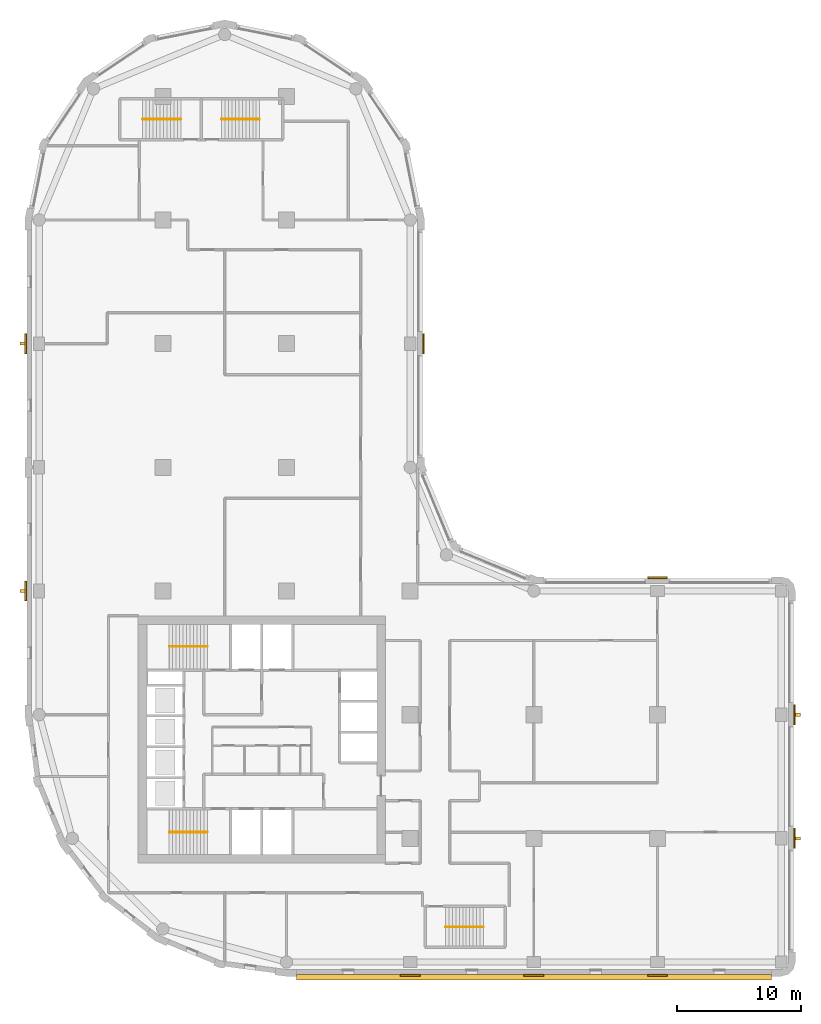
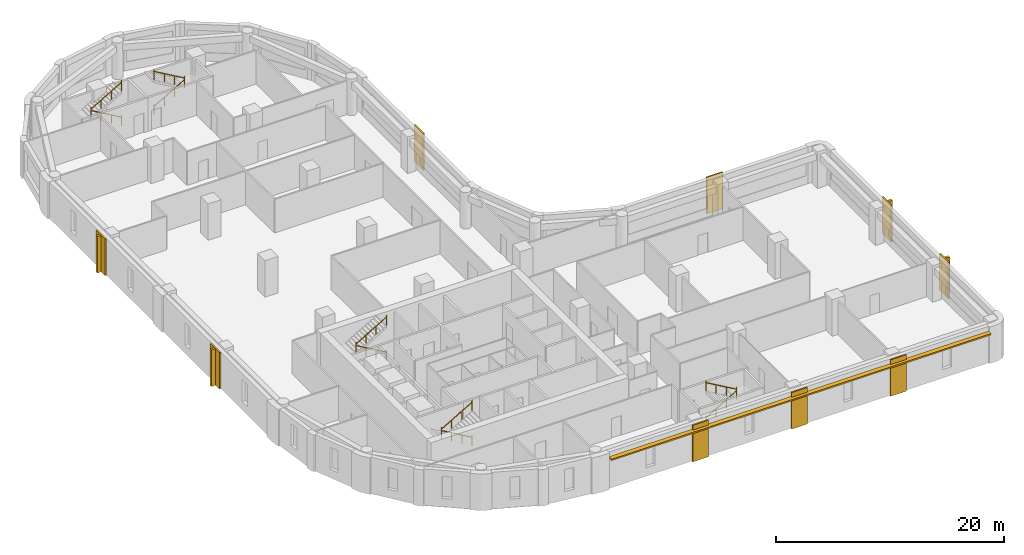
# One storey, part 8 of 9: 10 railings, 9 coverings, 5 shading devices.
"""IFC4 building model written with IfcOpenShell, lengths in metres."""

from ifc_helpers import new_model, si_unit, direction, frame, origin, origin_2d, place, context, subcontext, project, spatial, polyline, rectangle, circle, outline, extrude, material, layer, layer_set, type_object, element, save


model = new_model("IFC4")

# Units and contexts
model_context = context("Model", 3, precision=1e-05, world=origin(), true_north=direction((0.0, 1.0)))
body_context = subcontext(model_context, "Body", "Model", "MODEL_VIEW")
ifc_project = project(units=[si_unit("LENGTHUNIT", "METRE"), si_unit("AREAUNIT", "SQUARE_METRE"), si_unit("VOLUMEUNIT", "CUBIC_METRE"), si_unit("PLANEANGLEUNIT", "RADIAN"), si_unit("MASSUNIT", "GRAM", prefix="KILO")], contexts=[model_context])

# Site, building, storey
site_placement = place(None, origin())
site = spatial("IfcSite", under=ifc_project, at=site_placement, CompositionType="ELEMENT")
building_placement = place(site_placement, origin())
building = spatial("IfcBuilding", under=site, at=building_placement, Name="Qaws Garden Tower", CompositionType="ELEMENT")
storey_placement = place(building_placement, frame((0.0, 0.0, 190.199951171875)))
storey = spatial("IfcBuildingStorey", under=building, at=storey_placement, Name="L46", CompositionType="ELEMENT", Elevation=190.199951171875)

# Coverings
ifc_material_1 = material(Name="Clay facing brick masonry", Category="masonry")
ifc_layer_1 = layer(ifc_material_1, 0.14990234375)
ifc_layer_set_1 = layer_set([ifc_layer_1], Name="Clay facing brick masonry")
covering_type = type_object("IfcCoveringType", Name="Brick pilaster facing 150 x 1600", PredefinedType="CLADDING", material=ifc_layer_set_1)
placement = place(storey_placement, origin())
element("IfcCovering", 1, at=placement, inside=storey, type_object=covering_type, Name="E-L46-pier-01", PredefinedType="CLADDING", context=body_context, shape_type="SweptSolid", body=[
    extrude(outline(polyline([(29.199951171875, -1.0), (30.800048828125, -1.0), (30.800048828125, -1.14990234375), (29.199951171875, -1.14990234375), (29.199951171875, -1.0)])), origin(), (0.0, 0.0, 1.0), 3.900146484375),
])
element("IfcCovering", 2, at=placement, inside=storey, type_object=covering_type, Name="E-L46-pier-02", PredefinedType="CLADDING", context=body_context, shape_type="SweptSolid", body=[
    extrude(outline(polyline([(39.199951171875, -1.0), (40.800048828125, -1.0), (40.800048828125, -1.14990234375), (39.199951171875, -1.14990234375), (39.199951171875, -1.0)])), origin(), (0.0, 0.0, 1.0), 3.900146484375),
])
element("IfcCovering", 3, at=placement, inside=storey, type_object=covering_type, Name="E-L46-pier-03", PredefinedType="CLADDING", context=body_context, shape_type="SweptSolid", body=[
    extrude(outline(polyline([(49.199951171875, -1.0), (50.800048828125, -1.0), (50.800048828125, -1.14990234375), (49.199951171875, -1.14990234375), (49.199951171875, -1.0)])), origin(), (0.0, 0.0, 1.0), 3.900146484375),
])
element("IfcCovering", 4, at=placement, inside=storey, type_object=covering_type, Name="E-L46-pier-05", PredefinedType="CLADDING", context=body_context, shape_type="SweptSolid", body=[
    extrude(outline(polyline([(61.0, 9.199951171875), (61.0, 10.800048828125), (61.14990234375, 10.800048828125), (61.14990234375, 9.199951171875), (61.0, 9.199951171875)])), origin(), (0.0, 0.0, 1.0), 3.900146484375),
])
element("IfcCovering", 5, at=placement, inside=storey, type_object=covering_type, Name="E-L46-pier-06", PredefinedType="CLADDING", context=body_context, shape_type="SweptSolid", body=[
    extrude(outline(polyline([(61.0, 19.199951171875), (61.0, 20.800048828125), (61.14990234375, 20.800048828125), (61.14990234375, 19.199951171875), (61.0, 19.199951171875)])), origin(), (0.0, 0.0, 1.0), 3.900146484375),
])
element("IfcCovering", 6, at=placement, inside=storey, type_object=covering_type, Name="E-L46-pier-08", PredefinedType="CLADDING", context=body_context, shape_type="SweptSolid", body=[
    extrude(outline(polyline([(50.800048828125, 31.0), (49.199951171875, 31.0), (49.199951171875, 31.14990234375), (50.800048828125, 31.14990234375), (50.800048828125, 31.0)])), origin(), (0.0, 0.0, 1.0), 3.900146484375),
])
element("IfcCovering", 7, at=placement, inside=storey, type_object=covering_type, Name="E-L46-pier-12", PredefinedType="CLADDING", context=body_context, shape_type="SweptSolid", body=[
    extrude(outline(polyline([(31.0, 49.199951171875), (31.0, 50.800048828125), (31.14990234375, 50.800048828125), (31.14990234375, 49.199951171875), (31.0, 49.199951171875)])), origin(), (0.0, 0.0, 1.0), 3.900146484375),
])
element("IfcCovering", 8, at=placement, inside=storey, type_object=covering_type, Name="E-L46-pier-22", PredefinedType="CLADDING", context=body_context, shape_type="SweptSolid", body=[
    extrude(outline(polyline([(-1.0, 50.800048828125), (-1.0, 49.199951171875), (-1.14990234375, 49.199951171875), (-1.14990234375, 50.800048828125), (-1.0, 50.800048828125)])), origin(), (0.0, 0.0, 1.0), 3.900146484375),
])
element("IfcCovering", 9, at=placement, inside=storey, type_object=covering_type, Name="E-L46-pier-24", PredefinedType="CLADDING", context=body_context, shape_type="SweptSolid", body=[
    extrude(outline(polyline([(-1.0, 30.800048828125), (-1.0, 29.199951171875), (-1.14990234375, 29.199951171875), (-1.14990234375, 30.800048828125), (-1.0, 30.800048828125)])), origin(), (0.0, 0.0, 1.0), 3.900146484375),
])

# Shading devices
ifc_material_2 = material(Name="Clay facing brick masonry", Category="masonry")
ifc_layer_2 = layer(ifc_material_2, 0.14990234375)
ifc_layer_set_2 = layer_set([ifc_layer_2], Name="Clay facing brick masonry")
shading_device_type_1 = type_object("IfcShadingDeviceType", Name="Brick sunshade band 450 x 150", PredefinedType="JALOUSIE", material=ifc_layer_set_2)
shading_device_placement = place(storey_placement, frame((0.0, 0.0, 3.25)))
element("IfcShadingDevice", 10, at=shading_device_placement, inside=storey, type_object=shading_device_type_1, Name="SUNSHADE 00", PredefinedType="JALOUSIE", context=body_context, shape_type="SweptSolid", body=[
    extrude(outline(polyline([(20.800048828125, -1.0), (20.800048828125, -1.449951171875), (59.199951171875, -1.449951171875), (59.199951171875, -1.0), (50.800048828125, -1.0), (50.800048828125, -1.14990234375), (49.199951171875, -1.14990234375), (49.199951171875, -1.0), (40.800048828125, -1.0), (40.800048828125, -1.14990234375), (39.199951171875, -1.14990234375), (39.199951171875, -1.0), (30.800048828125, -1.0), (30.800048828125, -1.14990234375), (29.199951171875, -1.14990234375), (29.199951171875, -1.0), (20.800048828125, -1.0)])), origin(), (0.0, 0.0, 1.0), 0.150146484375),
])
ifc_material_3 = material(Name="Clay facing brick masonry", Category="masonry")
ifc_layer_3 = layer(ifc_material_3, 0.25)
ifc_layer_set_3 = layer_set([ifc_layer_3], Name="Clay facing brick masonry")
shading_device_type_2 = type_object("IfcShadingDeviceType", Name="Brick-faced fin 250 x 400", PredefinedType="USERDEFINED", material=ifc_layer_set_3)
for number, where, z_axis, x_axis, name in (
    (11, (61.35009765625, 10.0, 0.0), (0.0, 0.0, 1.0), (0.0, 1.0, 0.0), "FIN 05"),
    (12, (61.35009765625, 20.0, 0.0), (0.0, 0.0, 1.0), (0.0, 1.0, 0.0), "FIN 06"),
    (13, (-1.35009765625, 50.0, 0.0), (0.0, 0.0, 1.0), (0.0, -1.0, 0.0), "FIN 22"),
    (14, (-1.35009765625, 30.0, 0.0), (0.0, 0.0, 1.0), (0.0, -1.0, 0.0), "FIN 24"),
):
    element("IfcShadingDevice", number, at=place(storey_placement, frame(where, z_axis=z_axis, x_axis=x_axis)), inside=storey, type_object=shading_device_type_2, Name=name, ObjectType="FIN", PredefinedType="USERDEFINED", context=body_context, shape_type="SweptSolid", body=[
        extrude(rectangle(XDim=0.25, YDim=0.39990234375, at=origin_2d()), origin(), (0.0, 0.0, 1.0), 3.89990234375),
    ])

# Railings
ifc_material_4 = material(Name="Steel S355", Category="steel")
railing_type = type_object("IfcRailingType", Name="Stair handrail 900", PredefinedType="HANDRAIL", material=ifc_material_4)
railing_1_placement = place(storey_placement, frame((13.60009765625, 10.5, 0.16259765625)))
element("IfcRailing", 15, at=railing_1_placement, inside=storey, type_object=railing_type, Name="Stair 1 handrail", PredefinedType="HANDRAIL", context=body_context, shape_type="SweptSolid", body=[
    extrude(circle(Radius=0.02392578125, at=origin_2d()), frame((0.0, 0.0, 0.8759765625), z_axis=(-0.864920483161, 0.0, 0.501908913857), x_axis=(0.0, -1.0, 0.0)), (0.0, 0.0, 1.0), 3.56103515625),
    extrude(circle(Radius=0.02099609375, at=origin_2d()), origin(), (0.0, 0.0, 1.0), 1.06201171875),
    extrude(circle(Radius=0.02099609375, at=origin_2d()), frame((-1.026611328125, 0.0, 0.595703125)), (0.0, 0.0, 1.0), 0.851806640625),
    extrude(circle(Radius=0.02099609375, at=origin_2d()), frame((-2.053466796875, 0.0, 1.191650390625)), (0.0, 0.0, 1.0), 0.851806640625),
    extrude(circle(Radius=0.02099609375, at=origin_2d()), frame((-3.080078125, 0.0, 1.787353515625)), (0.0, 0.0, 1.0), 1.06201171875),
])
railing_2_placement = place(storey_placement, frame((10.52001953125, 10.5, 2.112548828125)))
element("IfcRailing", 16, at=railing_2_placement, inside=storey, type_object=railing_type, Name="Stair 1 handrail", PredefinedType="HANDRAIL", context=body_context, shape_type="SweptSolid", body=[
    extrude(circle(Radius=0.02392578125, at=origin_2d()), frame((0.0, 0.0, 0.8759765625), z_axis=(0.864890721111, 0.0, 0.501960198159), x_axis=(0.0, 1.0, 0.0)), (0.0, 0.0, 1.0), 3.561279296875),
    extrude(circle(Radius=0.02099609375, at=origin_2d()), origin(), (0.0, 0.0, 1.0), 1.06201171875),
    extrude(circle(Radius=0.02099609375, at=origin_2d()), frame((1.026611328125, 0.0, 0.595947265625)), (0.0, 0.0, 1.0), 0.851806640625),
    extrude(circle(Radius=0.02099609375, at=origin_2d()), frame((2.053466796875, 0.0, 1.191650390625)), (0.0, 0.0, 1.0), 0.851806640625),
    extrude(circle(Radius=0.02099609375, at=origin_2d()), frame((3.080078125, 0.0, 1.78759765625)), (0.0, 0.0, 1.0), 1.06201171875),
])
railing_3_placement = place(storey_placement, frame((13.60009765625, 25.5, 0.16259765625)))
element("IfcRailing", 17, at=railing_3_placement, inside=storey, type_object=railing_type, Name="Stair 4 handrail", PredefinedType="HANDRAIL", context=body_context, shape_type="SweptSolid", body=[
    extrude(circle(Radius=0.02392578125, at=origin_2d()), frame((0.0, 0.0, 0.8759765625), z_axis=(-0.864920483161, 0.0, 0.501908913857), x_axis=(0.0, -1.0, 0.0)), (0.0, 0.0, 1.0), 3.56103515625),
    extrude(circle(Radius=0.02099609375, at=origin_2d()), origin(), (0.0, 0.0, 1.0), 1.06201171875),
    extrude(circle(Radius=0.02099609375, at=origin_2d()), frame((-1.026611328125, 0.0, 0.595703125)), (0.0, 0.0, 1.0), 0.851806640625),
    extrude(circle(Radius=0.02099609375, at=origin_2d()), frame((-2.053466796875, 0.0, 1.191650390625)), (0.0, 0.0, 1.0), 0.851806640625),
    extrude(circle(Radius=0.02099609375, at=origin_2d()), frame((-3.080078125, 0.0, 1.787353515625)), (0.0, 0.0, 1.0), 1.06201171875),
])
railing_4_placement = place(storey_placement, frame((10.52001953125, 25.5, 2.112548828125)))
element("IfcRailing", 18, at=railing_4_placement, inside=storey, type_object=railing_type, Name="Stair 4 handrail", PredefinedType="HANDRAIL", context=body_context, shape_type="SweptSolid", body=[
    extrude(circle(Radius=0.02392578125, at=origin_2d()), frame((0.0, 0.0, 0.8759765625), z_axis=(0.864890721111, 0.0, 0.501960198159), x_axis=(0.0, 1.0, 0.0)), (0.0, 0.0, 1.0), 3.561279296875),
    extrude(circle(Radius=0.02099609375, at=origin_2d()), origin(), (0.0, 0.0, 1.0), 1.06201171875),
    extrude(circle(Radius=0.02099609375, at=origin_2d()), frame((1.026611328125, 0.0, 0.595947265625)), (0.0, 0.0, 1.0), 0.851806640625),
    extrude(circle(Radius=0.02099609375, at=origin_2d()), frame((2.053466796875, 0.0, 1.191650390625)), (0.0, 0.0, 1.0), 0.851806640625),
    extrude(circle(Radius=0.02099609375, at=origin_2d()), frame((3.080078125, 0.0, 1.78759765625)), (0.0, 0.0, 1.0), 1.06201171875),
])
railing_5_placement = place(storey_placement, frame((32.85009765625, 2.85009765625, 0.16259765625)))
element("IfcRailing", 19, at=railing_5_placement, inside=storey, type_object=railing_type, Name="Stair 5 handrail", PredefinedType="HANDRAIL", context=body_context, shape_type="SweptSolid", body=[
    extrude(circle(Radius=0.02392578125, at=origin_2d()), frame((0.0, 0.0, 0.8759765625), z_axis=(0.864903211148, 0.0, 0.501938676878), x_axis=(0.0, 1.0, 0.0)), (0.0, 0.0, 1.0), 3.560791015625),
    extrude(circle(Radius=0.02099609375, at=origin_2d()), origin(), (0.0, 0.0, 1.0), 1.06201171875),
    extrude(circle(Radius=0.02099609375, at=origin_2d()), frame((1.026611328125, 0.0, 0.595703125)), (0.0, 0.0, 1.0), 0.851806640625),
    extrude(circle(Radius=0.02099609375, at=origin_2d()), frame((2.05322265625, 0.0, 1.191650390625)), (0.0, 0.0, 1.0), 0.851806640625),
    extrude(circle(Radius=0.02099609375, at=origin_2d()), frame((3.079833984375, 0.0, 1.787353515625)), (0.0, 0.0, 1.0), 1.06201171875),
])
railing_6_placement = place(storey_placement, frame((35.929931640625, 2.85009765625, 2.112548828125)))
element("IfcRailing", 20, at=railing_6_placement, inside=storey, type_object=railing_type, Name="Stair 5 handrail", PredefinedType="HANDRAIL", context=body_context, shape_type="SweptSolid", body=[
    extrude(circle(Radius=0.02392578125, at=origin_2d()), frame((0.0, 0.0, 0.8759765625), z_axis=(-0.864873446163, 0.0, 0.501989962173), x_axis=(0.0, -1.0, 0.0)), (0.0, 0.0, 1.0), 3.56103515625),
    extrude(circle(Radius=0.02099609375, at=origin_2d()), origin(), (0.0, 0.0, 1.0), 1.06201171875),
    extrude(circle(Radius=0.02099609375, at=origin_2d()), frame((-1.026611328125, 0.0, 0.595947265625)), (0.0, 0.0, 1.0), 0.851806640625),
    extrude(circle(Radius=0.02099609375, at=origin_2d()), frame((-2.05322265625, 0.0, 1.191650390625)), (0.0, 0.0, 1.0), 0.851806640625),
    extrude(circle(Radius=0.02099609375, at=origin_2d()), frame((-3.079833984375, 0.0, 1.78759765625)), (0.0, 0.0, 1.0), 1.06201171875),
])
railing_7_placement = place(storey_placement, frame((11.449951171875, 68.14990234375, 0.16259765625)))
element("IfcRailing", 21, at=railing_7_placement, inside=storey, type_object=railing_type, Name="Stair 6 handrail", PredefinedType="HANDRAIL", context=body_context, shape_type="SweptSolid", body=[
    extrude(circle(Radius=0.02392578125, at=origin_2d()), frame((0.0, 0.0, 0.8759765625), z_axis=(-0.864903211148, 0.0, 0.501938676878), x_axis=(0.0, -1.0, 0.0)), (0.0, 0.0, 1.0), 3.560791015625),
    extrude(circle(Radius=0.02099609375, at=origin_2d()), origin(), (0.0, 0.0, 1.0), 1.06201171875),
    extrude(circle(Radius=0.02099609375, at=origin_2d()), frame((-1.026611328125, 0.0, 0.595703125)), (0.0, 0.0, 1.0), 0.851806640625),
    extrude(circle(Radius=0.02099609375, at=origin_2d()), frame((-2.05322265625, 0.0, 1.191650390625)), (0.0, 0.0, 1.0), 0.851806640625),
    extrude(circle(Radius=0.02099609375, at=origin_2d()), frame((-3.079833984375, 0.0, 1.787353515625)), (0.0, 0.0, 1.0), 1.06201171875),
])
railing_8_placement = place(storey_placement, frame((8.3701171875, 68.14990234375, 2.112548828125)))
element("IfcRailing", 22, at=railing_8_placement, inside=storey, type_object=railing_type, Name="Stair 6 handrail", PredefinedType="HANDRAIL", context=body_context, shape_type="SweptSolid", body=[
    extrude(circle(Radius=0.02392578125, at=origin_2d()), frame((0.0, 0.0, 0.8759765625), z_axis=(0.864873446163, 0.0, 0.501989962173), x_axis=(0.0, 1.0, 0.0)), (0.0, 0.0, 1.0), 3.56103515625),
    extrude(circle(Radius=0.02099609375, at=origin_2d()), origin(), (0.0, 0.0, 1.0), 1.06201171875),
    extrude(circle(Radius=0.02099609375, at=origin_2d()), frame((1.026611328125, 0.0, 0.595947265625)), (0.0, 0.0, 1.0), 0.851806640625),
    extrude(circle(Radius=0.02099609375, at=origin_2d()), frame((2.05322265625, 0.0, 1.191650390625)), (0.0, 0.0, 1.0), 0.851806640625),
    extrude(circle(Radius=0.02099609375, at=origin_2d()), frame((3.079833984375, 0.0, 1.78759765625)), (0.0, 0.0, 1.0), 1.06201171875),
])
railing_9_placement = place(storey_placement, frame((14.75, 68.14990234375, 0.16259765625)))
element("IfcRailing", 23, at=railing_9_placement, inside=storey, type_object=railing_type, Name="Stair 7 handrail", PredefinedType="HANDRAIL", context=body_context, shape_type="SweptSolid", body=[
    extrude(circle(Radius=0.02392578125, at=origin_2d()), frame((0.0, 0.0, 0.8759765625), z_axis=(0.864920483161, 0.0, 0.501908913857), x_axis=(0.0, 1.0, 0.0)), (0.0, 0.0, 1.0), 3.56103515625),
    extrude(circle(Radius=0.02099609375, at=origin_2d()), origin(), (0.0, 0.0, 1.0), 1.06201171875),
    extrude(circle(Radius=0.02099609375, at=origin_2d()), frame((1.026611328125, 0.0, 0.595703125)), (0.0, 0.0, 1.0), 0.851806640625),
    extrude(circle(Radius=0.02099609375, at=origin_2d()), frame((2.053466796875, 0.0, 1.191650390625)), (0.0, 0.0, 1.0), 0.851806640625),
    extrude(circle(Radius=0.02099609375, at=origin_2d()), frame((3.080078125, 0.0, 1.787353515625)), (0.0, 0.0, 1.0), 1.06201171875),
])
railing_10_placement = place(storey_placement, frame((17.830078125, 68.14990234375, 2.112548828125)))
element("IfcRailing", 24, at=railing_10_placement, inside=storey, type_object=railing_type, Name="Stair 7 handrail", PredefinedType="HANDRAIL", context=body_context, shape_type="SweptSolid", body=[
    extrude(circle(Radius=0.02392578125, at=origin_2d()), frame((0.0, 0.0, 0.8759765625), z_axis=(-0.864890721111, 0.0, 0.501960198159), x_axis=(0.0, -1.0, 0.0)), (0.0, 0.0, 1.0), 3.561279296875),
    extrude(circle(Radius=0.02099609375, at=origin_2d()), origin(), (0.0, 0.0, 1.0), 1.06201171875),
    extrude(circle(Radius=0.02099609375, at=origin_2d()), frame((-1.026611328125, 0.0, 0.595947265625)), (0.0, 0.0, 1.0), 0.851806640625),
    extrude(circle(Radius=0.02099609375, at=origin_2d()), frame((-2.053466796875, 0.0, 1.191650390625)), (0.0, 0.0, 1.0), 0.851806640625),
    extrude(circle(Radius=0.02099609375, at=origin_2d()), frame((-3.080078125, 0.0, 1.78759765625)), (0.0, 0.0, 1.0), 1.06201171875),
])

save(model, "model.ifc")
